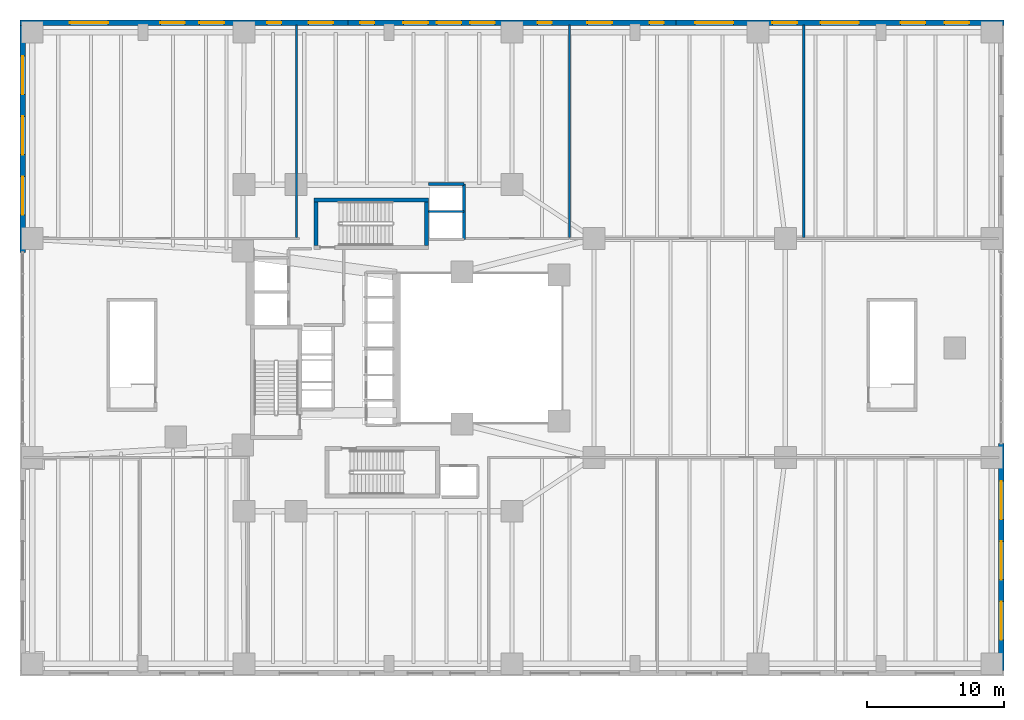
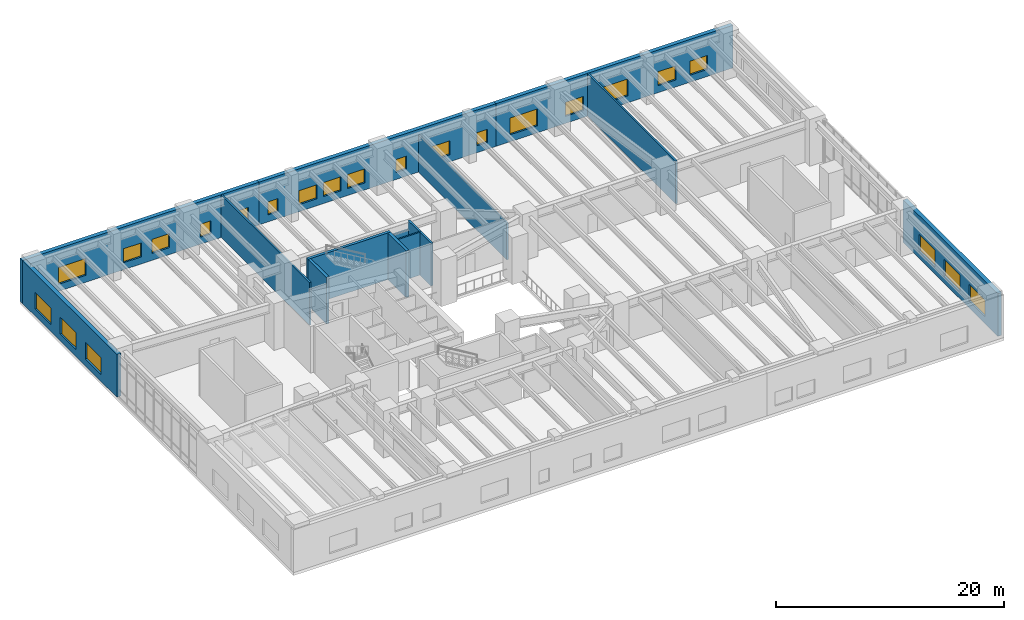
# One storey, part 15 of 18: 23 windows, 14 walls, 23 openings.
"""IFC4 building model written with IfcOpenShell, lengths in metres."""

from ifc_helpers import new_model, si_unit, direction, frame, frame_2d, origin, place, context, subcontext, project, spatial, rectangle, extrude, material, layer, layer_set, type_object, element, fill, save


model = new_model("IFC4")

# Units and contexts
model_context = context("Model", 3, precision=1e-05, world=origin(), true_north=direction((0.0, 1.0)))
body_context = subcontext(model_context, "Body", "Model", "MODEL_VIEW")
ifc_project = project(units=[si_unit("LENGTHUNIT", "METRE"), si_unit("AREAUNIT", "SQUARE_METRE"), si_unit("VOLUMEUNIT", "CUBIC_METRE"), si_unit("PLANEANGLEUNIT", "RADIAN"), si_unit("MASSUNIT", "GRAM", prefix="KILO"), si_unit("THERMODYNAMICTEMPERATUREUNIT", "KELVIN"), si_unit("POWERUNIT", "WATT")], contexts=[model_context])

# Site, building, storey
site_placement = place(None, origin())
site = spatial("IfcSite", under=ifc_project, at=site_placement, CompositionType="ELEMENT")
building_placement = place(site_placement, origin())
building = spatial("IfcBuilding", under=site, at=building_placement, Name="Skarre Station Tower", CompositionType="ELEMENT")
storey_placement = place(building_placement, frame((0.0, 0.0, 16.0)))
storey = spatial("IfcBuildingStorey", under=building, at=storey_placement, Name="L04", CompositionType="ELEMENT", Elevation=16.0)

# Wall, openings, windows
ifc_material_1 = material(Name="Precast concrete C45/55", Category="concrete")
ifc_layer_1 = layer(ifc_material_1, 0.39990234375, Name="Precast concrete C45/55")
ifc_layer_set_1 = layer_set([ifc_layer_1], Name="Precast concrete C45/55")
wall_type_1 = type_object("IfcWallType", Name="Nordic Granite Station Podium Wall 400", PredefinedType="STANDARD", material=ifc_layer_set_1)
wall_1_placement = place(storey_placement, frame((0.0, 47.800048828125, 0.0), z_axis=(0.0, 0.0, 1.0), x_axis=(1.0, 0.0, 0.0)))
wall_1 = element("IfcWall", 1, at=wall_1_placement, inside=storey, type_object=wall_type_1, Name="L04 North Podium Granite Wall NA", PredefinedType="STANDARD", context=body_context, shape_type="SweptSolid", body=[
    extrude(rectangle(XDim=24.0, YDim=0.39990234375, at=frame_2d((12.0, 0.0))), origin(), (0.0, 0.0, 1.0), 4.580078125),
])
opening_1_placement = place(wall_1_placement, frame((3.64990234375, 0.0, 0.75)))
opening_1 = element("IfcOpeningElement", 2, at=opening_1_placement, cuts=wall_1, Name="Opening WN-POD", PredefinedType="OPENING", context=body_context, shape_type="SweptSolid", body=[
    extrude(rectangle(XDim=2.800048828125, YDim=1.800048828125, at=frame_2d((1.39990234375, 0.89990234375))), frame((0.0, 0.2099609375, 0.0), z_axis=(0.0, -1.0, 0.0), x_axis=(1.0, 0.0, 0.0)), (0.0, 0.0, 1.0), 0.419921875),
])
opening_2_placement = place(wall_1_placement, frame((10.27001953125, 0.0, 0.75)))
opening_2 = element("IfcOpeningElement", 3, at=opening_2_placement, cuts=wall_1, Name="Opening WN-Z1A", PredefinedType="OPENING", context=body_context, shape_type="SweptSolid", body=[
    extrude(rectangle(XDim=1.800048828125, YDim=1.5, at=frame_2d((0.89990234375, 0.75))), frame((0.0, 0.2099609375, 0.0), z_axis=(0.0, -1.0, 0.0), x_axis=(1.0, 0.0, 0.0)), (0.0, 0.0, 1.0), 0.419921875),
])
opening_3_placement = place(wall_1_placement, frame((13.1298828125, 0.0, 0.75)))
opening_3 = element("IfcOpeningElement", 4, at=opening_3_placement, cuts=wall_1, Name="Opening WN-Z1A", PredefinedType="OPENING", context=body_context, shape_type="SweptSolid", body=[
    extrude(rectangle(XDim=1.800048828125, YDim=1.5, at=frame_2d((0.89990234375, 0.75))), frame((0.0, 0.2099609375, 0.0), z_axis=(0.0, -1.0, 0.0), x_axis=(1.0, 0.0, 0.0)), (0.0, 0.0, 1.0), 0.419921875),
])
opening_4_placement = place(wall_1_placement, frame((18.076904296875, 0.0, 0.75)))
opening_4 = element("IfcOpeningElement", 5, at=opening_4_placement, cuts=wall_1, Name="Opening WN-SLT", PredefinedType="OPENING", context=body_context, shape_type="SweptSolid", body=[
    extrude(rectangle(XDim=1.050048828125, YDim=1.39990234375, at=frame_2d((0.52490234375, 0.699951171875))), frame((0.0, 0.2099609375, 0.0), z_axis=(0.0, -1.0, 0.0), x_axis=(1.0, 0.0, 0.0)), (0.0, 0.0, 1.0), 0.419921875),
])
opening_5_placement = place(wall_1_placement, frame((21.118896484375, 0.0, 0.75)))
opening_5 = element("IfcOpeningElement", 6, at=opening_5_placement, cuts=wall_1, Name="Opening WN-Z1A", PredefinedType="OPENING", context=body_context, shape_type="SweptSolid", body=[
    extrude(rectangle(XDim=1.800048828125, YDim=1.5, at=frame_2d((0.89990234375, 0.75))), frame((0.0, 0.2099609375, 0.0), z_axis=(0.0, -1.0, 0.0), x_axis=(1.0, 0.0, 0.0)), (0.0, 0.0, 1.0), 0.419921875),
])
ifc_material_2 = material(Name="Low-Iron Triple Glazing with Bronze Anodized Frame", Category="glass")
window_type_1 = type_object("IfcWindowType", Name="Nordic Corner Slot Window 1050x1400", PartitioningType="SINGLE_PANEL", PredefinedType="WINDOW", material=ifc_material_2)
window_1_placement = place(opening_4_placement, origin())
window_1 = element("IfcWindow", 7, at=window_1_placement, inside=storey, type_object=window_type_1, Name="L04 Facade Window WL-POD-L04-NA-4", OverallHeight=1.39990234375, OverallWidth=1.050048828125, PartitioningType="SINGLE_PANEL", PredefinedType="WINDOW", context=body_context, shape_type="SweptSolid", body=[
    extrude(rectangle(XDim=1.050048828125, YDim=1.39990234375, at=frame_2d((0.52490234375, 0.699951171875))), frame((0.0, 0.030029296875, 0.0), z_axis=(0.0, -1.0, 0.0), x_axis=(1.0, 0.0, 0.0)), (0.0, 0.0, 1.0), 0.06005859375),
])
fill(opening_4, window_1)
window_type_2 = type_object("IfcWindowType", Name="Nordic Punched Triple-Glazed Window 1800x1500", PartitioningType="SINGLE_PANEL", PredefinedType="WINDOW", material=ifc_material_2)
window_2_placement = place(opening_2_placement, origin())
window_2 = element("IfcWindow", 8, at=window_2_placement, inside=storey, type_object=window_type_2, Name="L04 Facade Window WL-POD-L04-NA-2", OverallHeight=1.5, OverallWidth=1.800048828125, PartitioningType="SINGLE_PANEL", PredefinedType="WINDOW", context=body_context, shape_type="SweptSolid", body=[
    extrude(rectangle(XDim=1.800048828125, YDim=1.5, at=frame_2d((0.89990234375, 0.75))), frame((0.0, 0.030029296875, 0.0), z_axis=(0.0, -1.0, 0.0), x_axis=(1.0, 0.0, 0.0)), (0.0, 0.0, 1.0), 0.06005859375),
])
fill(opening_2, window_2)
window_3_placement = place(opening_3_placement, origin())
window_3 = element("IfcWindow", 9, at=window_3_placement, inside=storey, type_object=window_type_2, Name="L04 Facade Window WL-POD-L04-NA-3", OverallHeight=1.5, OverallWidth=1.800048828125, PartitioningType="SINGLE_PANEL", PredefinedType="WINDOW", context=body_context, shape_type="SweptSolid", body=[
    extrude(rectangle(XDim=1.800048828125, YDim=1.5, at=frame_2d((0.89990234375, 0.75))), frame((0.0, 0.030029296875, 0.0), z_axis=(0.0, -1.0, 0.0), x_axis=(1.0, 0.0, 0.0)), (0.0, 0.0, 1.0), 0.06005859375),
])
fill(opening_3, window_3)
window_4_placement = place(opening_5_placement, origin())
window_4 = element("IfcWindow", 10, at=window_4_placement, inside=storey, type_object=window_type_2, Name="L04 Facade Window WL-POD-L04-NA-5", OverallHeight=1.5, OverallWidth=1.800048828125, PartitioningType="SINGLE_PANEL", PredefinedType="WINDOW", context=body_context, shape_type="SweptSolid", body=[
    extrude(rectangle(XDim=1.800048828125, YDim=1.5, at=frame_2d((0.89990234375, 0.75))), frame((0.0, 0.030029296875, 0.0), z_axis=(0.0, -1.0, 0.0), x_axis=(1.0, 0.0, 0.0)), (0.0, 0.0, 1.0), 0.06005859375),
])
fill(opening_5, window_4)
window_type_3 = type_object("IfcWindowType", Name="Podium Clerestory Ribbon Window 2800x1800", PartitioningType="SINGLE_PANEL", PredefinedType="WINDOW", material=ifc_material_2)
window_5_placement = place(opening_1_placement, origin())
window_5 = element("IfcWindow", 11, at=window_5_placement, inside=storey, type_object=window_type_3, Name="L04 Facade Window WL-POD-L04-NA-1", OverallHeight=1.800048828125, OverallWidth=2.800048828125, PartitioningType="SINGLE_PANEL", PredefinedType="WINDOW", context=body_context, shape_type="SweptSolid", body=[
    extrude(rectangle(XDim=2.800048828125, YDim=1.800048828125, at=frame_2d((1.39990234375, 0.89990234375))), frame((0.0, 0.030029296875, 0.0), z_axis=(0.0, -1.0, 0.0), x_axis=(1.0, 0.0, 0.0)), (0.0, 0.0, 1.0), 0.06005859375),
])
fill(opening_1, window_5)

wall_2_placement = place(storey_placement, frame((24.0, 47.800048828125, 0.0), z_axis=(0.0, 0.0, 1.0), x_axis=(1.0, 0.0, 0.0)))
wall_2 = element("IfcWall", 12, at=wall_2_placement, inside=storey, type_object=wall_type_1, Name="L04 North Podium Granite Wall NB", PredefinedType="STANDARD", context=body_context, shape_type="SweptSolid", body=[
    extrude(rectangle(XDim=24.0, YDim=0.39990234375, at=frame_2d((12.0, 0.0))), origin(), (0.0, 0.0, 1.0), 4.580078125),
])
opening_6_placement = place(wall_2_placement, frame((0.8798828125, 0.0, 0.75)))
opening_6 = element("IfcOpeningElement", 13, at=opening_6_placement, cuts=wall_2, Name="Opening WN-SLT", PredefinedType="OPENING", context=body_context, shape_type="SweptSolid", body=[
    extrude(rectangle(XDim=1.050048828125, YDim=1.39990234375, at=frame_2d((0.52490234375, 0.699951171875))), frame((0.0, 0.2099609375, 0.0), z_axis=(0.0, -1.0, 0.0), x_axis=(1.0, 0.0, 0.0)), (0.0, 0.0, 1.0), 0.419921875),
])
opening_7_placement = place(wall_2_placement, frame((4.06005859375, 0.0, 0.75)))
opening_7 = element("IfcOpeningElement", 14, at=opening_7_placement, cuts=wall_2, Name="Opening WN-Z1A", PredefinedType="OPENING", context=body_context, shape_type="SweptSolid", body=[
    extrude(rectangle(XDim=1.800048828125, YDim=1.5, at=frame_2d((0.89990234375, 0.75))), frame((0.0, 0.2099609375, 0.0), z_axis=(0.0, -1.0, 0.0), x_axis=(1.0, 0.0, 0.0)), (0.0, 0.0, 1.0), 0.419921875),
])
opening_8_placement = place(wall_2_placement, frame((6.5, 0.0, 0.75)))
opening_8 = element("IfcOpeningElement", 15, at=opening_8_placement, cuts=wall_2, Name="Opening WN-Z1A", PredefinedType="OPENING", context=body_context, shape_type="SweptSolid", body=[
    extrude(rectangle(XDim=1.800048828125, YDim=1.5, at=frame_2d((0.89990234375, 0.75))), frame((0.0, 0.2099609375, 0.0), z_axis=(0.0, -1.0, 0.0), x_axis=(1.0, 0.0, 0.0)), (0.0, 0.0, 1.0), 0.419921875),
])
opening_9_placement = place(wall_2_placement, frame((8.93994140625, 0.0, 0.75)))
opening_9 = element("IfcOpeningElement", 16, at=opening_9_placement, cuts=wall_2, Name="Opening WN-Z1A", PredefinedType="OPENING", context=body_context, shape_type="SweptSolid", body=[
    extrude(rectangle(XDim=1.800048828125, YDim=1.5, at=frame_2d((0.89990234375, 0.75))), frame((0.0, 0.2099609375, 0.0), z_axis=(0.0, -1.0, 0.0), x_axis=(1.0, 0.0, 0.0)), (0.0, 0.0, 1.0), 0.419921875),
])
opening_10_placement = place(wall_2_placement, frame((13.8701171875, 0.0, 0.75)))
opening_10 = element("IfcOpeningElement", 17, at=opening_10_placement, cuts=wall_2, Name="Opening WN-SLT", PredefinedType="OPENING", context=body_context, shape_type="SweptSolid", body=[
    extrude(rectangle(XDim=1.050048828125, YDim=1.39990234375, at=frame_2d((0.52490234375, 0.699951171875))), frame((0.0, 0.2099609375, 0.0), z_axis=(0.0, -1.0, 0.0), x_axis=(1.0, 0.0, 0.0)), (0.0, 0.0, 1.0), 0.419921875),
])
opening_11_placement = place(wall_2_placement, frame((17.51806640625, 0.0, 0.75)))
opening_11 = element("IfcOpeningElement", 18, at=opening_11_placement, cuts=wall_2, Name="Opening WN-Z1A", PredefinedType="OPENING", context=body_context, shape_type="SweptSolid", body=[
    extrude(rectangle(XDim=1.800048828125, YDim=1.5, at=frame_2d((0.89990234375, 0.75))), frame((0.0, 0.2099609375, 0.0), z_axis=(0.0, -1.0, 0.0), x_axis=(1.0, 0.0, 0.0)), (0.0, 0.0, 1.0), 0.419921875),
])
opening_12_placement = place(wall_2_placement, frame((22.070068359375, 0.0, 0.75)))
opening_12 = element("IfcOpeningElement", 19, at=opening_12_placement, cuts=wall_2, Name="Opening WN-SLT", PredefinedType="OPENING", context=body_context, shape_type="SweptSolid", body=[
    extrude(rectangle(XDim=1.050048828125, YDim=1.39990234375, at=frame_2d((0.52490234375, 0.699951171875))), frame((0.0, 0.2099609375, 0.0), z_axis=(0.0, -1.0, 0.0), x_axis=(1.0, 0.0, 0.0)), (0.0, 0.0, 1.0), 0.419921875),
])
window_6_placement = place(opening_6_placement, origin())
window_6 = element("IfcWindow", 20, at=window_6_placement, inside=storey, type_object=window_type_1, Name="L04 Facade Window WL-POD-L04-NB-1", OverallHeight=1.39990234375, OverallWidth=1.050048828125, PartitioningType="SINGLE_PANEL", PredefinedType="WINDOW", context=body_context, shape_type="SweptSolid", body=[
    extrude(rectangle(XDim=1.050048828125, YDim=1.39990234375, at=frame_2d((0.52490234375, 0.699951171875))), frame((0.0, 0.030029296875, 0.0), z_axis=(0.0, -1.0, 0.0), x_axis=(1.0, 0.0, 0.0)), (0.0, 0.0, 1.0), 0.06005859375),
])
fill(opening_6, window_6)
window_7_placement = place(opening_10_placement, origin())
window_7 = element("IfcWindow", 21, at=window_7_placement, inside=storey, type_object=window_type_1, Name="L04 Facade Window WL-POD-L04-NB-5", OverallHeight=1.39990234375, OverallWidth=1.050048828125, PartitioningType="SINGLE_PANEL", PredefinedType="WINDOW", context=body_context, shape_type="SweptSolid", body=[
    extrude(rectangle(XDim=1.050048828125, YDim=1.39990234375, at=frame_2d((0.52490234375, 0.699951171875))), frame((0.0, 0.030029296875, 0.0), z_axis=(0.0, -1.0, 0.0), x_axis=(1.0, 0.0, 0.0)), (0.0, 0.0, 1.0), 0.06005859375),
])
fill(opening_10, window_7)
window_8_placement = place(opening_12_placement, origin())
window_8 = element("IfcWindow", 22, at=window_8_placement, inside=storey, type_object=window_type_1, Name="L04 Facade Window WL-POD-L04-NB-7", OverallHeight=1.39990234375, OverallWidth=1.050048828125, PartitioningType="SINGLE_PANEL", PredefinedType="WINDOW", context=body_context, shape_type="SweptSolid", body=[
    extrude(rectangle(XDim=1.050048828125, YDim=1.39990234375, at=frame_2d((0.52490234375, 0.699951171875))), frame((0.0, 0.030029296875, 0.0), z_axis=(0.0, -1.0, 0.0), x_axis=(1.0, 0.0, 0.0)), (0.0, 0.0, 1.0), 0.06005859375),
])
fill(opening_12, window_8)
window_9_placement = place(opening_7_placement, origin())
window_9 = element("IfcWindow", 23, at=window_9_placement, inside=storey, type_object=window_type_2, Name="L04 Facade Window WL-POD-L04-NB-2", OverallHeight=1.5, OverallWidth=1.800048828125, PartitioningType="SINGLE_PANEL", PredefinedType="WINDOW", context=body_context, shape_type="SweptSolid", body=[
    extrude(rectangle(XDim=1.800048828125, YDim=1.5, at=frame_2d((0.89990234375, 0.75))), frame((0.0, 0.030029296875, 0.0), z_axis=(0.0, -1.0, 0.0), x_axis=(1.0, 0.0, 0.0)), (0.0, 0.0, 1.0), 0.06005859375),
])
fill(opening_7, window_9)
window_10_placement = place(opening_8_placement, origin())
window_10 = element("IfcWindow", 24, at=window_10_placement, inside=storey, type_object=window_type_2, Name="L04 Facade Window WL-POD-L04-NB-3", OverallHeight=1.5, OverallWidth=1.800048828125, PartitioningType="SINGLE_PANEL", PredefinedType="WINDOW", context=body_context, shape_type="SweptSolid", body=[
    extrude(rectangle(XDim=1.800048828125, YDim=1.5, at=frame_2d((0.89990234375, 0.75))), frame((0.0, 0.030029296875, 0.0), z_axis=(0.0, -1.0, 0.0), x_axis=(1.0, 0.0, 0.0)), (0.0, 0.0, 1.0), 0.06005859375),
])
fill(opening_8, window_10)
window_11_placement = place(opening_9_placement, origin())
window_11 = element("IfcWindow", 25, at=window_11_placement, inside=storey, type_object=window_type_2, Name="L04 Facade Window WL-POD-L04-NB-4", OverallHeight=1.5, OverallWidth=1.800048828125, PartitioningType="SINGLE_PANEL", PredefinedType="WINDOW", context=body_context, shape_type="SweptSolid", body=[
    extrude(rectangle(XDim=1.800048828125, YDim=1.5, at=frame_2d((0.89990234375, 0.75))), frame((0.0, 0.030029296875, 0.0), z_axis=(0.0, -1.0, 0.0), x_axis=(1.0, 0.0, 0.0)), (0.0, 0.0, 1.0), 0.06005859375),
])
fill(opening_9, window_11)
window_12_placement = place(opening_11_placement, origin())
window_12 = element("IfcWindow", 26, at=window_12_placement, inside=storey, type_object=window_type_2, Name="L04 Facade Window WL-POD-L04-NB-6", OverallHeight=1.5, OverallWidth=1.800048828125, PartitioningType="SINGLE_PANEL", PredefinedType="WINDOW", context=body_context, shape_type="SweptSolid", body=[
    extrude(rectangle(XDim=1.800048828125, YDim=1.5, at=frame_2d((0.89990234375, 0.75))), frame((0.0, 0.030029296875, 0.0), z_axis=(0.0, -1.0, 0.0), x_axis=(1.0, 0.0, 0.0)), (0.0, 0.0, 1.0), 0.06005859375),
])
fill(opening_11, window_12)

wall_3_placement = place(storey_placement, frame((48.0, 47.800048828125, 0.0), z_axis=(0.0, 0.0, 1.0), x_axis=(1.0, 0.0, 0.0)))
wall_3 = element("IfcWall", 27, at=wall_3_placement, inside=storey, type_object=wall_type_1, Name="L04 North Podium Granite Wall NC", PredefinedType="STANDARD", context=body_context, shape_type="SweptSolid", body=[
    extrude(rectangle(XDim=24.0, YDim=0.39990234375, at=frame_2d((12.0, 0.0))), origin(), (0.0, 0.0, 1.0), 4.580078125),
])
opening_13_placement = place(wall_3_placement, frame((1.405029296875, 0.0, 0.75)))
opening_13 = element("IfcOpeningElement", 28, at=opening_13_placement, cuts=wall_3, Name="Opening WN-POD", PredefinedType="OPENING", context=body_context, shape_type="SweptSolid", body=[
    extrude(rectangle(XDim=2.800048828125, YDim=1.800048828125, at=frame_2d((1.39990234375, 0.89990234375))), frame((0.0, 0.2099609375, 0.0), z_axis=(0.0, -1.0, 0.0), x_axis=(1.0, 0.0, 0.0)), (0.0, 0.0, 1.0), 0.419921875),
])
opening_14_placement = place(wall_3_placement, frame((7.06103515625, 0.0, 0.75)))
opening_14 = element("IfcOpeningElement", 29, at=opening_14_placement, cuts=wall_3, Name="Opening WN-Z1A", PredefinedType="OPENING", context=body_context, shape_type="SweptSolid", body=[
    extrude(rectangle(XDim=1.800048828125, YDim=1.5, at=frame_2d((0.89990234375, 0.75))), frame((0.0, 0.2099609375, 0.0), z_axis=(0.0, -1.0, 0.0), x_axis=(1.0, 0.0, 0.0)), (0.0, 0.0, 1.0), 0.419921875),
])
opening_15_placement = place(wall_3_placement, frame((10.5830078125, 0.0, 0.75)))
opening_15 = element("IfcOpeningElement", 30, at=opening_15_placement, cuts=wall_3, Name="Opening WN-POD", PredefinedType="OPENING", context=body_context, shape_type="SweptSolid", body=[
    extrude(rectangle(XDim=2.800048828125, YDim=1.800048828125, at=frame_2d((1.39990234375, 0.89990234375))), frame((0.0, 0.2099609375, 0.0), z_axis=(0.0, -1.0, 0.0), x_axis=(1.0, 0.0, 0.0)), (0.0, 0.0, 1.0), 0.419921875),
])
opening_16_placement = place(wall_3_placement, frame((16.445068359375, 0.0, 0.75)))
opening_16 = element("IfcOpeningElement", 31, at=opening_16_placement, cuts=wall_3, Name="Opening WN-Z1A", PredefinedType="OPENING", context=body_context, shape_type="SweptSolid", body=[
    extrude(rectangle(XDim=1.800048828125, YDim=1.5, at=frame_2d((0.89990234375, 0.75))), frame((0.0, 0.2099609375, 0.0), z_axis=(0.0, -1.0, 0.0), x_axis=(1.0, 0.0, 0.0)), (0.0, 0.0, 1.0), 0.419921875),
])
opening_17_placement = place(wall_3_placement, frame((19.655029296875, 0.0, 0.75)))
opening_17 = element("IfcOpeningElement", 32, at=opening_17_placement, cuts=wall_3, Name="Opening WN-Z1A", PredefinedType="OPENING", context=body_context, shape_type="SweptSolid", body=[
    extrude(rectangle(XDim=1.800048828125, YDim=1.5, at=frame_2d((0.89990234375, 0.75))), frame((0.0, 0.2099609375, 0.0), z_axis=(0.0, -1.0, 0.0), x_axis=(1.0, 0.0, 0.0)), (0.0, 0.0, 1.0), 0.419921875),
])
window_13_placement = place(opening_14_placement, origin())
window_13 = element("IfcWindow", 33, at=window_13_placement, inside=storey, type_object=window_type_2, Name="L04 Facade Window WL-POD-L04-NC-2", OverallHeight=1.5, OverallWidth=1.800048828125, PartitioningType="SINGLE_PANEL", PredefinedType="WINDOW", context=body_context, shape_type="SweptSolid", body=[
    extrude(rectangle(XDim=1.800048828125, YDim=1.5, at=frame_2d((0.89990234375, 0.75))), frame((0.0, 0.030029296875, 0.0), z_axis=(0.0, -1.0, 0.0), x_axis=(1.0, 0.0, 0.0)), (0.0, 0.0, 1.0), 0.06005859375),
])
fill(opening_14, window_13)
window_14_placement = place(opening_16_placement, origin())
window_14 = element("IfcWindow", 34, at=window_14_placement, inside=storey, type_object=window_type_2, Name="L04 Facade Window WL-POD-L04-NC-4", OverallHeight=1.5, OverallWidth=1.800048828125, PartitioningType="SINGLE_PANEL", PredefinedType="WINDOW", context=body_context, shape_type="SweptSolid", body=[
    extrude(rectangle(XDim=1.800048828125, YDim=1.5, at=frame_2d((0.89990234375, 0.75))), frame((0.0, 0.030029296875, 0.0), z_axis=(0.0, -1.0, 0.0), x_axis=(1.0, 0.0, 0.0)), (0.0, 0.0, 1.0), 0.06005859375),
])
fill(opening_16, window_14)
window_15_placement = place(opening_17_placement, origin())
window_15 = element("IfcWindow", 35, at=window_15_placement, inside=storey, type_object=window_type_2, Name="L04 Facade Window WL-POD-L04-NC-5", OverallHeight=1.5, OverallWidth=1.800048828125, PartitioningType="SINGLE_PANEL", PredefinedType="WINDOW", context=body_context, shape_type="SweptSolid", body=[
    extrude(rectangle(XDim=1.800048828125, YDim=1.5, at=frame_2d((0.89990234375, 0.75))), frame((0.0, 0.030029296875, 0.0), z_axis=(0.0, -1.0, 0.0), x_axis=(1.0, 0.0, 0.0)), (0.0, 0.0, 1.0), 0.06005859375),
])
fill(opening_17, window_15)
window_16_placement = place(opening_13_placement, origin())
window_16 = element("IfcWindow", 36, at=window_16_placement, inside=storey, type_object=window_type_3, Name="L04 Facade Window WL-POD-L04-NC-1", OverallHeight=1.800048828125, OverallWidth=2.800048828125, PartitioningType="SINGLE_PANEL", PredefinedType="WINDOW", context=body_context, shape_type="SweptSolid", body=[
    extrude(rectangle(XDim=2.800048828125, YDim=1.800048828125, at=frame_2d((1.39990234375, 0.89990234375))), frame((0.0, 0.030029296875, 0.0), z_axis=(0.0, -1.0, 0.0), x_axis=(1.0, 0.0, 0.0)), (0.0, 0.0, 1.0), 0.06005859375),
])
fill(opening_13, window_16)
window_17_placement = place(opening_15_placement, origin())
window_17 = element("IfcWindow", 37, at=window_17_placement, inside=storey, type_object=window_type_3, Name="L04 Facade Window WL-POD-L04-NC-3", OverallHeight=1.800048828125, OverallWidth=2.800048828125, PartitioningType="SINGLE_PANEL", PredefinedType="WINDOW", context=body_context, shape_type="SweptSolid", body=[
    extrude(rectangle(XDim=2.800048828125, YDim=1.800048828125, at=frame_2d((1.39990234375, 0.89990234375))), frame((0.0, 0.030029296875, 0.0), z_axis=(0.0, -1.0, 0.0), x_axis=(1.0, 0.0, 0.0)), (0.0, 0.0, 1.0), 0.06005859375),
])
fill(opening_15, window_17)

wall_4_placement = place(storey_placement, frame((0.199951171875, 31.0, 0.0), z_axis=(0.0, 0.0, 1.0), x_axis=(0.0, 1.0, 0.0)))
wall_4 = element("IfcWall", 38, at=wall_4_placement, inside=storey, type_object=wall_type_1, Name="L04 Podium Granite Wall WB", PredefinedType="STANDARD", context=body_context, shape_type="SweptSolid", body=[
    extrude(rectangle(XDim=16.60009765625, YDim=0.39990234375, at=frame_2d((8.300048828125, 0.0))), origin(), (0.0, 0.0, 1.0), 4.580078125),
])
opening_18_placement = place(wall_4_placement, frame((2.742919921875, 0.0, 0.75)))
opening_18 = element("IfcOpeningElement", 39, at=opening_18_placement, cuts=wall_4, Name="Opening WN-POD", PredefinedType="OPENING", context=body_context, shape_type="SweptSolid", body=[
    extrude(rectangle(XDim=2.800048828125, YDim=1.800048828125, at=frame_2d((1.39990234375, 0.89990234375))), frame((0.0, 0.2099609375, 0.0), z_axis=(0.0, -1.0, 0.0), x_axis=(1.0, 0.0, 0.0)), (0.0, 0.0, 1.0), 0.419921875),
])
opening_19_placement = place(wall_4_placement, frame((7.14990234375, 0.0, 0.75)))
opening_19 = element("IfcOpeningElement", 40, at=opening_19_placement, cuts=wall_4, Name="Opening WN-POD", PredefinedType="OPENING", context=body_context, shape_type="SweptSolid", body=[
    extrude(rectangle(XDim=2.800048828125, YDim=1.800048828125, at=frame_2d((1.39990234375, 0.89990234375))), frame((0.0, 0.2099609375, 0.0), z_axis=(0.0, -1.0, 0.0), x_axis=(1.0, 0.0, 0.0)), (0.0, 0.0, 1.0), 0.419921875),
])
opening_20_placement = place(wall_4_placement, frame((11.556884765625, 0.0, 0.75)))
opening_20 = element("IfcOpeningElement", 41, at=opening_20_placement, cuts=wall_4, Name="Opening WN-POD", PredefinedType="OPENING", context=body_context, shape_type="SweptSolid", body=[
    extrude(rectangle(XDim=2.800048828125, YDim=1.800048828125, at=frame_2d((1.39990234375, 0.89990234375))), frame((0.0, 0.2099609375, 0.0), z_axis=(0.0, -1.0, 0.0), x_axis=(1.0, 0.0, 0.0)), (0.0, 0.0, 1.0), 0.419921875),
])
window_18_placement = place(opening_18_placement, origin())
window_18 = element("IfcWindow", 42, at=window_18_placement, inside=storey, type_object=window_type_3, Name="L04 Facade Window WL-POD-L04-WB-1", OverallHeight=1.800048828125, OverallWidth=2.800048828125, PartitioningType="SINGLE_PANEL", PredefinedType="WINDOW", context=body_context, shape_type="SweptSolid", body=[
    extrude(rectangle(XDim=2.800048828125, YDim=1.800048828125, at=frame_2d((1.39990234375, 0.89990234375))), frame((0.0, 0.030029296875, 0.0), z_axis=(0.0, -1.0, 0.0), x_axis=(1.0, 0.0, 0.0)), (0.0, 0.0, 1.0), 0.06005859375),
])
fill(opening_18, window_18)
window_19_placement = place(opening_19_placement, origin())
window_19 = element("IfcWindow", 43, at=window_19_placement, inside=storey, type_object=window_type_3, Name="L04 Facade Window WL-POD-L04-WB-2", OverallHeight=1.800048828125, OverallWidth=2.800048828125, PartitioningType="SINGLE_PANEL", PredefinedType="WINDOW", context=body_context, shape_type="SweptSolid", body=[
    extrude(rectangle(XDim=2.800048828125, YDim=1.800048828125, at=frame_2d((1.39990234375, 0.89990234375))), frame((0.0, 0.030029296875, 0.0), z_axis=(0.0, -1.0, 0.0), x_axis=(1.0, 0.0, 0.0)), (0.0, 0.0, 1.0), 0.06005859375),
])
fill(opening_19, window_19)
window_20_placement = place(opening_20_placement, origin())
window_20 = element("IfcWindow", 44, at=window_20_placement, inside=storey, type_object=window_type_3, Name="L04 Facade Window WL-POD-L04-WB-3", OverallHeight=1.800048828125, OverallWidth=2.800048828125, PartitioningType="SINGLE_PANEL", PredefinedType="WINDOW", context=body_context, shape_type="SweptSolid", body=[
    extrude(rectangle(XDim=2.800048828125, YDim=1.800048828125, at=frame_2d((1.39990234375, 0.89990234375))), frame((0.0, 0.030029296875, 0.0), z_axis=(0.0, -1.0, 0.0), x_axis=(1.0, 0.0, 0.0)), (0.0, 0.0, 1.0), 0.06005859375),
])
fill(opening_20, window_20)

wall_5_placement = place(storey_placement, frame((71.800048828125, 17.0, 0.0), z_axis=(0.0, 0.0, 1.0), x_axis=(0.0, -1.0, 0.0)))
wall_5 = element("IfcWall", 45, at=wall_5_placement, inside=storey, type_object=wall_type_1, Name="L04 Podium Granite Wall EB", PredefinedType="STANDARD", context=body_context, shape_type="SweptSolid", body=[
    extrude(rectangle(XDim=16.60009765625, YDim=0.39990234375, at=frame_2d((8.300048828125, 0.0))), origin(), (0.0, 0.0, 1.0), 4.580078125),
])
opening_21_placement = place(wall_5_placement, frame((2.742919921875, 0.0, 0.75)))
opening_21 = element("IfcOpeningElement", 46, at=opening_21_placement, cuts=wall_5, Name="Opening WN-POD", PredefinedType="OPENING", context=body_context, shape_type="SweptSolid", body=[
    extrude(rectangle(XDim=2.800048828125, YDim=1.800048828125, at=frame_2d((1.39990234375, 0.89990234375))), frame((0.0, 0.2099609375, 0.0), z_axis=(0.0, -1.0, 0.0), x_axis=(1.0, 0.0, 0.0)), (0.0, 0.0, 1.0), 0.419921875),
])
opening_22_placement = place(wall_5_placement, frame((7.14990234375, 0.0, 0.75)))
opening_22 = element("IfcOpeningElement", 47, at=opening_22_placement, cuts=wall_5, Name="Opening WN-POD", PredefinedType="OPENING", context=body_context, shape_type="SweptSolid", body=[
    extrude(rectangle(XDim=2.800048828125, YDim=1.800048828125, at=frame_2d((1.39990234375, 0.89990234375))), frame((0.0, 0.2099609375, 0.0), z_axis=(0.0, -1.0, 0.0), x_axis=(1.0, 0.0, 0.0)), (0.0, 0.0, 1.0), 0.419921875),
])
opening_23_placement = place(wall_5_placement, frame((11.556884765625, 0.0, 0.75)))
opening_23 = element("IfcOpeningElement", 48, at=opening_23_placement, cuts=wall_5, Name="Opening WN-POD", PredefinedType="OPENING", context=body_context, shape_type="SweptSolid", body=[
    extrude(rectangle(XDim=2.800048828125, YDim=1.800048828125, at=frame_2d((1.39990234375, 0.89990234375))), frame((0.0, 0.2099609375, 0.0), z_axis=(0.0, -1.0, 0.0), x_axis=(1.0, 0.0, 0.0)), (0.0, 0.0, 1.0), 0.419921875),
])
window_21_placement = place(opening_21_placement, origin())
window_21 = element("IfcWindow", 49, at=window_21_placement, inside=storey, type_object=window_type_3, Name="L04 Facade Window WL-POD-L04-EB-1", OverallHeight=1.800048828125, OverallWidth=2.800048828125, PartitioningType="SINGLE_PANEL", PredefinedType="WINDOW", context=body_context, shape_type="SweptSolid", body=[
    extrude(rectangle(XDim=2.800048828125, YDim=1.800048828125, at=frame_2d((1.39990234375, 0.89990234375))), frame((0.0, 0.030029296875, 0.0), z_axis=(0.0, -1.0, 0.0), x_axis=(1.0, 0.0, 0.0)), (0.0, 0.0, 1.0), 0.06005859375),
])
fill(opening_21, window_21)
window_22_placement = place(opening_22_placement, origin())
window_22 = element("IfcWindow", 50, at=window_22_placement, inside=storey, type_object=window_type_3, Name="L04 Facade Window WL-POD-L04-EB-2", OverallHeight=1.800048828125, OverallWidth=2.800048828125, PartitioningType="SINGLE_PANEL", PredefinedType="WINDOW", context=body_context, shape_type="SweptSolid", body=[
    extrude(rectangle(XDim=2.800048828125, YDim=1.800048828125, at=frame_2d((1.39990234375, 0.89990234375))), frame((0.0, 0.030029296875, 0.0), z_axis=(0.0, -1.0, 0.0), x_axis=(1.0, 0.0, 0.0)), (0.0, 0.0, 1.0), 0.06005859375),
])
fill(opening_22, window_22)
window_23_placement = place(opening_23_placement, origin())
window_23 = element("IfcWindow", 51, at=window_23_placement, inside=storey, type_object=window_type_3, Name="L04 Facade Window WL-POD-L04-EB-3", OverallHeight=1.800048828125, OverallWidth=2.800048828125, PartitioningType="SINGLE_PANEL", PredefinedType="WINDOW", context=body_context, shape_type="SweptSolid", body=[
    extrude(rectangle(XDim=2.800048828125, YDim=1.800048828125, at=frame_2d((1.39990234375, 0.89990234375))), frame((0.0, 0.030029296875, 0.0), z_axis=(0.0, -1.0, 0.0), x_axis=(1.0, 0.0, 0.0)), (0.0, 0.0, 1.0), 0.06005859375),
])
fill(opening_23, window_23)

# Walls
ifc_material_3 = material(Name="Concrete C50/60", Category="concrete")
ifc_layer_2 = layer(ifc_material_3, 0.280029296875, Name="Concrete C50/60")
ifc_layer_set_2 = layer_set([ifc_layer_2], Name="Concrete C50/60")
wall_type_2 = type_object("IfcWallType", Name="RC Core Shear Wall 280", PredefinedType="SHEAR", material=ifc_layer_set_2)
wall_6_placement = place(storey_placement, frame((29.8798828125, 34.840087890625, 0.0), z_axis=(0.0, 0.0, 1.0), x_axis=(-1.0, 0.0, 0.0)))
element("IfcWall", 52, at=wall_6_placement, inside=storey, type_object=wall_type_2, Name="L04 Stair ST-3 North Shear Wall", PredefinedType="SHEAR", context=body_context, shape_type="SweptSolid", body=[
    extrude(rectangle(XDim=8.35986328125, YDim=0.280029296875, at=frame_2d((4.179931640625, 0.0))), origin(), (0.0, 0.0, 1.0), 5.0),
])
for number, where, z_axis, x_axis, name in (
    (53, (21.659912109375, 34.699951171875, 0.0), (0.0, 0.0, 1.0), (0.0, -1.0, 0.0), "L04 Stair ST-3 West Shear Wall"),
    (54, (29.739990234375, 31.5, 0.0), (0.0, 0.0, 1.0), (0.0, 1.0, 0.0), "L04 Stair ST-3 East Shear Wall"),
):
    element("IfcWall", number, at=place(storey_placement, frame(where, z_axis=z_axis, x_axis=x_axis)), inside=storey, type_object=wall_type_2, Name=name, PredefinedType="SHEAR", context=body_context, shape_type="SweptSolid", body=[
        extrude(rectangle(XDim=3.199951171875, YDim=0.280029296875, at=frame_2d((1.60009765625, 0.0))), origin(), (0.0, 0.0, 1.0), 5.0),
    ])
ifc_material_4 = material(Name="Gypsum Concrete Shaft Assembly C30/37", Category="concrete")
ifc_layer_3 = layer(ifc_material_4, 0.199951171875, Name="Gypsum Concrete Shaft Assembly C30/37")
ifc_layer_set_3 = layer_set([ifc_layer_3], Name="Gypsum Concrete Shaft Assembly C30/37")
wall_type_3 = type_object("IfcWallType", Name="Shaft & Core Fire Partition 200", PredefinedType="PARTITIONING", material=ifc_layer_set_3)
wall_7_placement = place(storey_placement, frame((32.47998046875, 31.949951171875, 0.0), z_axis=(0.0, 0.0, 1.0), x_axis=(0.0, 1.0, 0.0)))
element("IfcWall", 55, at=wall_7_placement, inside=storey, type_object=wall_type_3, Name="L04 Interior Partition WL-PT-L04-EX-E", PredefinedType="PARTITIONING", context=body_context, shape_type="SweptSolid", body=[
    extrude(rectangle(XDim=4.050048828125, YDim=0.199951171875, at=frame_2d((2.02490234375, 0.0))), origin(), (0.0, 0.0, 1.0), 4.580078125),
])
wall_8_placement = place(storey_placement, frame((29.8798828125, 36.0, 0.0), z_axis=(0.0, 0.0, 1.0), x_axis=(1.0, 0.0, 0.0)))
element("IfcWall", 56, at=wall_8_placement, inside=storey, type_object=wall_type_3, Name="L04 Interior Partition WL-PT-L04-EX-N", PredefinedType="PARTITIONING", context=body_context, shape_type="SweptSolid", body=[
    extrude(rectangle(XDim=2.60009765625, YDim=0.199951171875, at=frame_2d((1.300048828125, 0.0))), origin(), (0.0, 0.0, 1.0), 3.632080078125),
])
wall_9_placement = place(storey_placement, frame((29.875, 33.97998046875, 0.0), z_axis=(0.0, 0.0, 1.0), x_axis=(1.0, 0.0, 0.0)))
element("IfcWall", 57, at=wall_9_placement, inside=storey, type_object=wall_type_3, Name="L04 Interior Partition WL-PT-L04-EX-DIV", PredefinedType="PARTITIONING", context=body_context, shape_type="SweptSolid", body=[
    extrude(rectangle(XDim=2.60498046875, YDim=0.159912109375, at=frame_2d((1.302490234375, 0.0))), origin(), (0.0, 0.0, 1.0), 4.580078125),
])
ifc_material_5 = material(Name="Acoustic Steel-Stud Gypsum Partition", Category="steel")
ifc_layer_4 = layer(ifc_material_5, 0.1650390625, Name="Acoustic Steel-Stud Gypsum Partition")
ifc_layer_set_4 = layer_set([ifc_layer_4], Name="Acoustic Steel-Stud Gypsum Partition")
wall_type_4 = type_object("IfcWallType", Name="Suite Demising Acoustic Partition 165", PredefinedType="PARTITIONING", material=ifc_layer_set_4)
wall_10_placement = place(storey_placement, frame((20.22607421875, 32.090087890625, 0.0), z_axis=(0.0, 0.0, 1.0), x_axis=(0.0, 1.0, 0.0)))
element("IfcWall", 58, at=wall_10_placement, inside=storey, type_object=wall_type_4, Name="L04 Interior Partition WL-PT-L04-PDN-P1", PredefinedType="PARTITIONING", context=body_context, shape_type="SweptSolid", body=[
    extrude(rectangle(XDim=15.539794921875, YDim=0.1650390625, at=frame_2d((7.77001953125, 0.0))), origin(), (0.0, 0.0, 1.0), 4.580078125),
])
wall_11_placement = place(storey_placement, frame((40.212890625, 32.090087890625, 0.0), z_axis=(0.0, 0.0, 1.0), x_axis=(0.0, 1.0, 0.0)))
element("IfcWall", 59, at=wall_11_placement, inside=storey, type_object=wall_type_4, Name="L04 Interior Partition WL-PT-L04-PDN-P2", PredefinedType="PARTITIONING", context=body_context, shape_type="SweptSolid", body=[
    extrude(rectangle(XDim=15.539794921875, YDim=0.1650390625, at=frame_2d((7.77001953125, 0.0))), origin(), (0.0, 0.0, 1.0), 3.971923828125),
])
wall_12_placement = place(storey_placement, frame((57.343994140625, 32.090087890625, 0.0), z_axis=(0.0, 0.0, 1.0), x_axis=(0.0, 1.0, 0.0)))
element("IfcWall", 60, at=wall_12_placement, inside=storey, type_object=wall_type_4, Name="L04 Interior Partition WL-PT-L04-PDN-P3", PredefinedType="PARTITIONING", context=body_context, shape_type="SweptSolid", body=[
    extrude(rectangle(XDim=15.539794921875, YDim=0.1650390625, at=frame_2d((7.77001953125, 0.0))), origin(), (0.0, 0.0, 1.0), 4.580078125),
])

save(model, "model.ifc")
